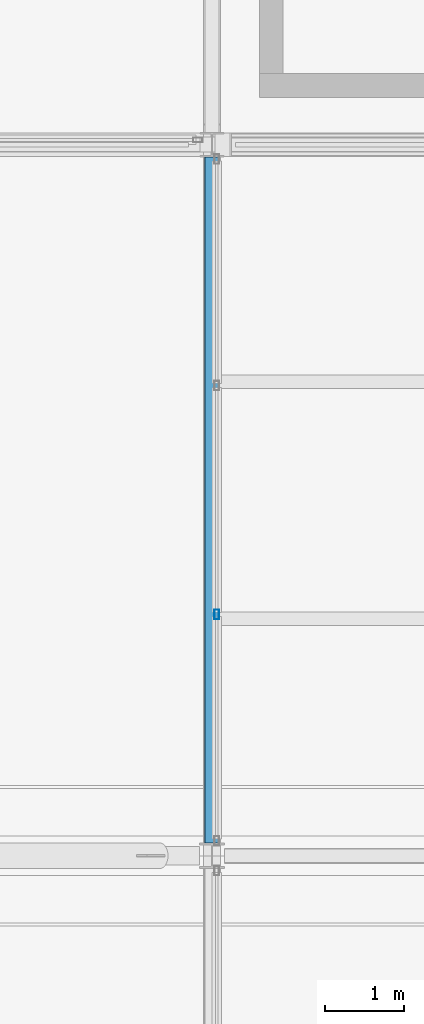
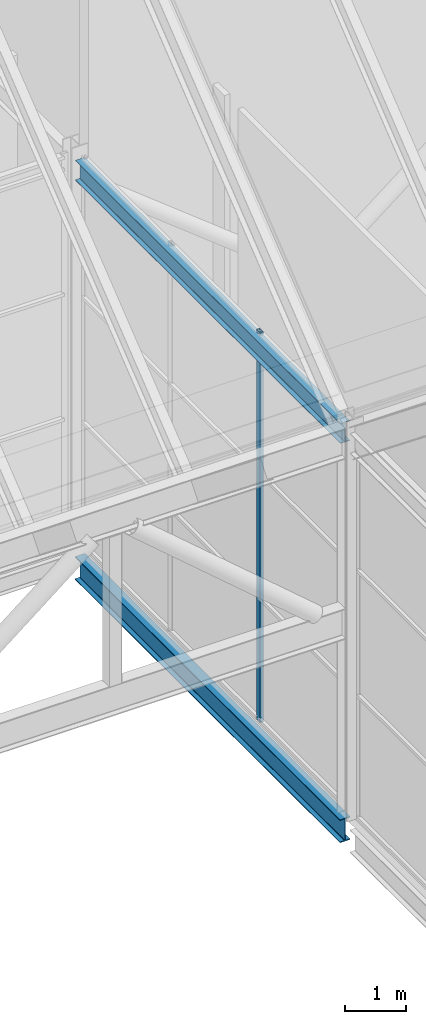
# One storey, part 81 of 144: 2 beams, 1 member, 1 element without a shape of its own.
"""IFC4 building model written with IfcOpenShell, lengths in metres."""

from ifc_helpers import new_model, si_unit, direction, frame, origin, origin_2d, place, context, subcontext, project, spatial, hollow_rectangle, i_section, extrude, material, layer, layer_set, material_profile, profile_set, type_object, element, aggregate, save


model = new_model("IFC4")

# Units and contexts
model_context = context("Model", 3, precision=1e-05, world=origin(), true_north=direction((0.0, 1.0)))
body_context = subcontext(model_context, "Body", "Model", "MODEL_VIEW")
ifc_project = project(units=[si_unit("LENGTHUNIT", "METRE"), si_unit("AREAUNIT", "SQUARE_METRE"), si_unit("VOLUMEUNIT", "CUBIC_METRE"), si_unit("PLANEANGLEUNIT", "RADIAN"), si_unit("MASSUNIT", "GRAM", prefix="KILO")], contexts=[model_context])

# Site, building, storey
site_placement = place(None, origin())
site = spatial("IfcSite", under=ifc_project, at=site_placement, CompositionType="ELEMENT")
building_placement = place(site_placement, origin())
building = spatial("IfcBuilding", under=site, at=building_placement, Name="Shorebreak Coast Museum", CompositionType="ELEMENT")
storey_placement = place(building_placement, frame((0.0, 0.0, 36.0)))
storey = spatial("IfcBuildingStorey", under=building, at=storey_placement, Name="L06", CompositionType="ELEMENT", Elevation=36.0)

# Beams
ifc_material_1 = material(Name="Steel Grade 300", Category="steel")
ifc_material_profile_1 = material_profile(ifc_material_1, i_section(OverallWidth=0.19091796875, OverallDepth=0.46044921875, WebThickness=0.010009765625, FlangeThickness=0.01611328125, FilletRadius=0.011474609375, at=origin_2d()), Name="460UB82.1")
ifc_profile_set_1 = profile_set([ifc_material_profile_1], Name="Steel Grade 300")
beam_type_1 = type_object("IfcBeamType", Name="Floor girder north-south 460UB82.1", PredefinedType="BEAM", material=ifc_profile_set_1)
beam_1_placement = place(storey_placement, frame((108.0, 72.16357421875, -0.4052734375), z_axis=(0.0, 1.0, 0.0), x_axis=(-1.0, 0.0, 0.0)))
element("IfcBeam", 1, at=beam_1_placement, inside=storey, type_object=beam_type_1, Name="Floor girder north-south L06 13J", PredefinedType="BEAM", context=body_context, shape_type="SweptSolid", body=[
    extrude(i_section(OverallWidth=0.19091796875, OverallDepth=0.46044921875, WebThickness=0.010009765625, FlangeThickness=0.01611328125, FilletRadius=0.011474609375, at=origin_2d()), origin(), (0.0, 0.0, 1.0), 8.67919921875),
])
ifc_material_2 = material(Name="Steel Grade 300", Category="steel")
ifc_material_profile_2 = material_profile(ifc_material_2, i_section(OverallWidth=0.177978515625, OverallDepth=0.402587890625, WebThickness=0.007568359375, FlangeThickness=0.010986328125, FilletRadius=0.011474609375, at=origin_2d()), Name="410UB53.7")
ifc_profile_set_2 = profile_set([ifc_material_profile_2], Name="Steel Grade 300")
beam_type_2 = type_object("IfcBeamType", Name="Fold rib tie 410UB53.7", PredefinedType="BEAM", material=ifc_profile_set_2)
beam_2_placement = place(storey_placement, frame((108.0, 72.16357421875, 7.54248046875), z_axis=(0.0, 1.0, 0.0), x_axis=(-1.0, 0.0, 0.0)))
element("IfcBeam", 2, at=beam_2_placement, inside=storey, type_object=beam_type_2, Name="Fold rib tie FOLD-X rib 13 J-K", PredefinedType="BEAM", context=body_context, shape_type="SweptSolid", body=[
    extrude(i_section(OverallWidth=0.177978515625, OverallDepth=0.402587890625, WebThickness=0.007568359375, FlangeThickness=0.010986328125, FilletRadius=0.011474609375, at=origin_2d()), origin(), (0.0, 0.0, 1.0), 8.67919921875),
])

# Curtain wall, member
ifc_material_3 = material(Name="Aluminium", Category="aluminium")
ifc_layer = layer(ifc_material_3, 0.1201171875)
ifc_layer_set = layer_set([ifc_layer], Name="Aluminium")
curtain_wall_type = type_object("IfcCurtainWallType", Name="Atrium fire screen", PredefinedType="NOTDEFINED", material=ifc_layer_set)
curtain_wall_placement = place(storey_placement, origin())
curtain_wall = element("IfcCurtainWall", 3, at=curtain_wall_placement, inside=storey, type_object=curtain_wall_type, Name="Atrium screen L06 E 92", PredefinedType="NOTDEFINED")
ifc_material_4 = material(Name="Aluminium", Category="aluminium")
ifc_material_profile_3 = material_profile(ifc_material_4, hollow_rectangle(XDim=0.06005859375, YDim=0.1201171875, WallThickness=0.00341796875, at=origin_2d()), Name="AL 120x60 RHS")
ifc_profile_set_3 = profile_set([ifc_material_profile_3], Name="Aluminium")
member_type = type_object("IfcMemberType", Name="Screen mullion 50 x 120", PredefinedType="MULLION", material=ifc_profile_set_3)
member_placement = place(storey_placement, frame((108.06005859375, 75.056640625, 0.0), z_axis=(0.0, 0.0, 1.0), x_axis=(-1.0, 0.0, 0.0)))
member = element("IfcMember", 4, at=member_placement, type_object=member_type, Name="CW6 mullion 2", PredefinedType="MULLION", context=body_context, shape_type="SweptSolid", body=[
    extrude(hollow_rectangle(XDim=0.06005859375, YDim=0.1201171875, WallThickness=0.00341796875, at=origin_2d()), origin(), (0.0, 0.0, 1.0), 7.800048828125),
])
aggregate(curtain_wall, [member])

save(model, "model.ifc")
